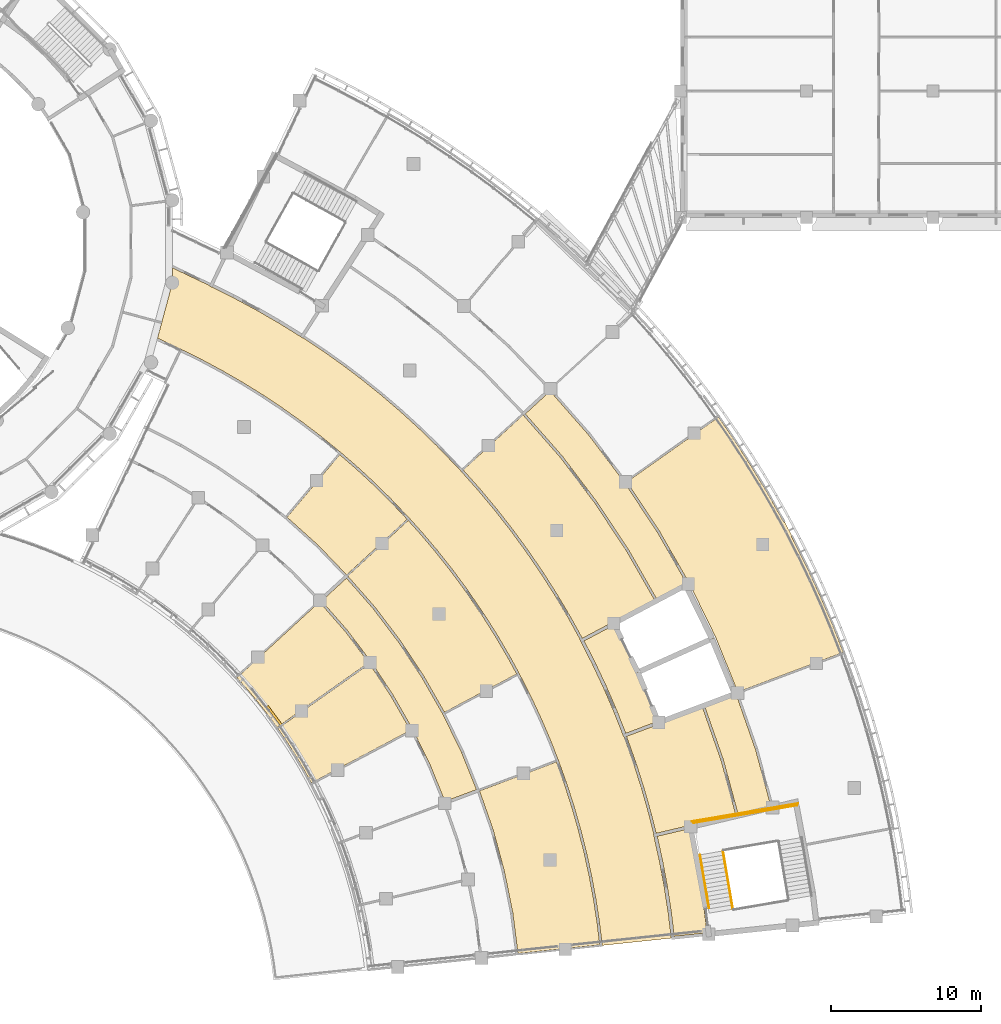
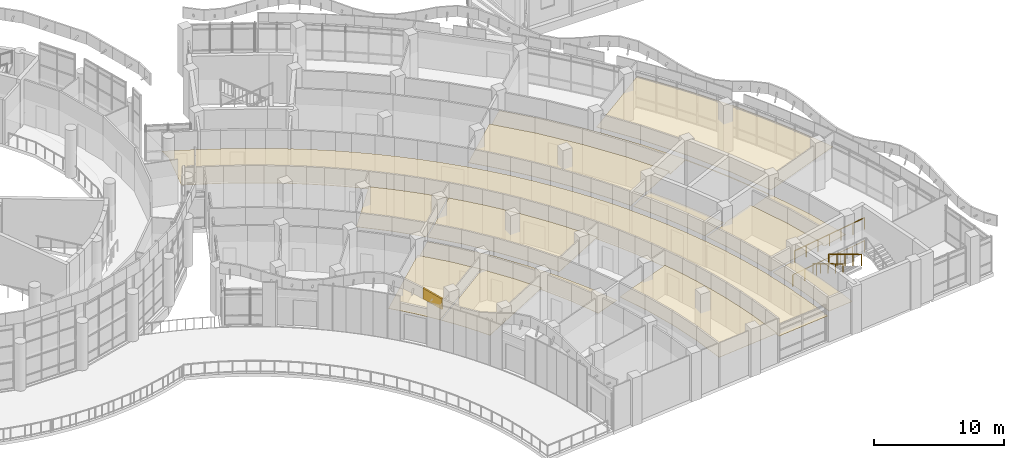
# One storey, part 125 of 136: 15 coverings, 4 railings.
"""IFC4 building model written with IfcOpenShell, lengths in metres."""

import ifcopenshell
import ifcopenshell.guid

model = None  # the IFC model being written
_history = None  # IfcOwnerHistory: only IFC2X3 demands one
_inside = {}  # id of a spatial element -> (the spatial element, [elements in it])
_under = {}  # id of a project, library or spatial element -> (it, [spatial elements below it])
_declared = {}  # id of a project -> (the project, [libraries it declares])
_typed = {}  # id of a type object -> (the type object, [elements of that type])
_made_of = {}  # id of a material, layer set ... -> (it, [elements and type objects made of it])


def new_model(schema):
    """Start an empty IFC model of exactly this schema.

    Asked for "IFC4X3", IfcOpenShell would pick the latest addendum, in which some entities
    have other attributes; the version numbers below select the first issue.
    IFC2X3 requires an IfcOwnerHistory on every rooted entity: one is made here for all.
    """
    global model, _history
    if schema == "IFC4X3":
        model = ifcopenshell.file(schema_version=(4, 3, 0, 0))
    else:
        model = ifcopenshell.file(schema=schema)
    _inside.clear()
    _under.clear()
    _declared.clear()
    _typed.clear()
    _made_of.clear()
    _history = None
    if model.schema == "IFC2X3":
        org = make("IfcOrganization", Name="unknown")
        user = make(
            "IfcPersonAndOrganization",
            ThePerson=make("IfcPerson", FamilyName="unknown"),
            TheOrganization=org,
        )
        app = make(
            "IfcApplication",
            ApplicationDeveloper=org,
            Version="unknown",
            ApplicationFullName="unknown",
            ApplicationIdentifier="unknown",
        )
        _history = make(
            "IfcOwnerHistory",
            OwningUser=user,
            OwningApplication=app,
            ChangeAction="ADDED",
            CreationDate=0,
        )
    return model


def make(cls, **values):
    """One entity of the class cls with the attributes given. An attribute that is None is left unset."""
    return model.create_entity(
        cls, **{name: value for name, value in values.items() if value is not None}
    )


def rooted(cls, **values):
    """An entity with a GlobalId (a new one), such as an element, a storey or a relation."""
    return make(cls, GlobalId=ifcopenshell.guid.new(), OwnerHistory=_history, **values)


def si_unit(unit_type, name, prefix=None):
    """IfcSIUnit, for example si_unit("LENGTHUNIT", "METRE", prefix="MILLI")."""
    return make("IfcSIUnit", UnitType=unit_type, Prefix=prefix, Name=name)


def assignment(units):
    """IfcUnitAssignment: the units of a project."""
    return None if units is None else make("IfcUnitAssignment", Units=units)


def point(xyz):
    """IfcCartesianPoint."""
    return None if xyz is None else make("IfcCartesianPoint", Coordinates=xyz)


def direction(xyz):
    """IfcDirection."""
    return None if xyz is None else make("IfcDirection", DirectionRatios=xyz)


def frame(location, z_axis=None, x_axis=None):
    """IfcAxis2Placement3D, a coordinate frame: its origin and axes. An axis left out is left unset."""
    return make(
        "IfcAxis2Placement3D",
        Location=point(location),
        Axis=direction(z_axis),
        RefDirection=direction(x_axis),
    )


def frame_2d(location, x_axis=None):
    """IfcAxis2Placement2D, a coordinate frame in the plane: its origin and x axis."""
    return make(
        "IfcAxis2Placement2D", Location=point(location), RefDirection=direction(x_axis)
    )


def origin():
    """The frame at (0, 0, 0) with its axes left unset."""
    return frame((0.0, 0.0, 0.0))


def origin_2d():
    """The frame at (0, 0) in the plane with its x axis left unset."""
    return frame_2d((0.0, 0.0))


def place(relative_to, where):
    """IfcLocalPlacement: puts the frame where relative to a parent placement (None: the world)."""
    return make(
        "IfcLocalPlacement", PlacementRelTo=relative_to, RelativePlacement=where
    )


def context(
    kind, dimensions, precision=None, world=None, true_north=None, identifier=None
):
    """IfcGeometricRepresentationContext, for example the 3D "Model" context."""
    return make(
        "IfcGeometricRepresentationContext",
        ContextIdentifier=identifier,
        ContextType=kind,
        CoordinateSpaceDimension=dimensions,
        Precision=precision,
        WorldCoordinateSystem=world,
        TrueNorth=true_north,
    )


def subcontext(parent, identifier, kind, view, scale=None):
    """IfcGeometricRepresentationSubContext, for example "Body" below "Model"."""
    return make(
        "IfcGeometricRepresentationSubContext",
        ContextIdentifier=identifier,
        ContextType=kind,
        ParentContext=parent,
        TargetScale=scale,
        TargetView=view,
    )


def project(units=None, contexts=None):
    """IfcProject with its units and contexts."""
    return rooted(
        "IfcProject",
        Name="project",
        RepresentationContexts=contexts,
        UnitsInContext=assignment(units),
    )


def spatial(cls, under=None, at=None, **own):
    """A site, building, storey or space (cls), placed at a placement, below another one or the project."""
    s = rooted(cls, ObjectPlacement=at, **own)
    if under is not None:
        _under.setdefault(under.id(), (under, []))[1].append(s)
    return s


def polyline(points):
    """IfcPolyline through the points."""
    return make("IfcPolyline", Points=[point(p) for p in points])


def profile(cls, at=None, kind="AREA", **sizes):
    """A parametric profile (cls). Its sizes go by their IFC names, for example OverallWidth=200.0."""
    return make(cls, ProfileType=kind, Position=at, **sizes)


def circle(**sizes):
    """IfcCircleProfileDef."""
    return profile("IfcCircleProfileDef", **sizes)


def outline(outer, holes=None, kind="AREA"):
    """IfcArbitraryClosedProfileDef: a profile drawn as a closed curve; with holes, ...WithVoids."""
    if holes is None:
        return make("IfcArbitraryClosedProfileDef", ProfileType=kind, OuterCurve=outer)
    return make(
        "IfcArbitraryProfileDefWithVoids",
        ProfileType=kind,
        OuterCurve=outer,
        InnerCurves=holes,
    )


def extrude(swept, where, along, depth):
    """IfcExtrudedAreaSolid: the profile swept, set in the frame where, extruded along a direction by depth."""
    return make(
        "IfcExtrudedAreaSolid",
        SweptArea=swept,
        Position=where,
        ExtrudedDirection=direction(along),
        Depth=depth,
    )


def shape(context_of_items, identifier, shape_type, items):
    """IfcShapeRepresentation: the items that make up one representation, for example the "Body"."""
    return make(
        "IfcShapeRepresentation",
        ContextOfItems=context_of_items,
        RepresentationIdentifier=identifier,
        RepresentationType=shape_type,
        Items=items,
    )


def material(Name=None, Category=None):
    """IfcMaterial."""
    return make("IfcMaterial", Name=Name, Category=Category)


def layer(
    of_material, thickness, ventilated=None, Name=None, Category=None, Priority=None
):
    """IfcMaterialLayer: one layer of a wall or slab, of a material (None: an air gap)."""
    return make(
        "IfcMaterialLayer",
        Material=of_material,
        LayerThickness=thickness,
        IsVentilated=ventilated,
        Name=Name,
        Category=Category,
        Priority=Priority,
    )


def layer_set(layers, Name=None):
    """IfcMaterialLayerSet."""
    return make("IfcMaterialLayerSet", MaterialLayers=layers, LayerSetName=Name)


def made_of(thing, what):
    """Note that an element or type object is made of a material, layer set ...; save() writes the relation."""
    if what is not None:
        _made_of.setdefault(what.id(), (what, []))[1].append(thing)
    return thing


def type_object(cls, material=None, **own):
    """A type object (cls), such as IfcWallType, which elements share."""
    return made_of(rooted(cls, **own), material)


def element(
    cls,
    number,
    at=None,
    inside=None,
    cuts=None,
    type_object=None,
    material=None,
    context=None,
    identifier="Body",
    shape_type=None,
    held_by="IfcProductDefinitionShape",
    body=None,
    shapes=None,
    **own,
):
    """One element of the class cls, such as IfcWall. Its Tag is "e" and its number.

    at: its placement. inside: the storey or other place that contains it. cuts: it is an
    opening in that element (IfcRelVoidsElement). A single representation is given by context,
    identifier, shape_type and body (its items); several are given by shapes. held_by: the class
    of the entity that holds the representations. save() writes the other relations.
    """
    e = rooted(cls, Tag="e%d" % number, ObjectPlacement=at, **own)
    if body is not None:
        shapes = [shape(context, identifier, shape_type, body)]
    if shapes is not None:
        e.Representation = make(held_by, Representations=shapes)
    if inside is not None:
        _inside.setdefault(inside.id(), (inside, []))[1].append(e)
    if cuts is not None:
        rooted(
            "IfcRelVoidsElement", RelatingBuildingElement=cuts, RelatedOpeningElement=e
        )
    if type_object is not None:
        _typed.setdefault(type_object.id(), (type_object, []))[1].append(e)
    return made_of(e, material)


def aggregate(whole, parts):
    """IfcRelAggregates: a whole, such as a stair, and the parts it consists of."""
    return rooted("IfcRelAggregates", RelatingObject=whole, RelatedObjects=parts)


def save(model, path):
    """Write the relations noted so far, then the file.

    IfcRelAggregates (storeys below a building ...), IfcRelContainedInSpatialStructure (elements
    in a storey), IfcRelDefinesByType, IfcRelAssociatesMaterial and IfcRelDeclares: one each for
    every whole, place, type object, material and project.
    """
    for whole, parts in _under.values():
        aggregate(whole, parts)
    for where, things in _inside.values():
        rooted(
            "IfcRelContainedInSpatialStructure",
            RelatedElements=things,
            RelatingStructure=where,
        )
    for kind, things in _typed.values():
        rooted("IfcRelDefinesByType", RelatedObjects=things, RelatingType=kind)
    for what, things in _made_of.values():
        rooted("IfcRelAssociatesMaterial", RelatedObjects=things, RelatingMaterial=what)
    for by, libraries in _declared.values():
        rooted("IfcRelDeclares", RelatingContext=by, RelatedDefinitions=libraries)
    model.write(path)


model = new_model("IFC4")

# Units and contexts
model_context = context("Model", 3, precision=1e-05, world=origin(), true_north=direction((0.0, 1.0)))
body_context = subcontext(model_context, "Body", "Model", "MODEL_VIEW")
ifc_project = project(units=[si_unit("LENGTHUNIT", "METRE"), si_unit("AREAUNIT", "SQUARE_METRE"), si_unit("VOLUMEUNIT", "CUBIC_METRE"), si_unit("PLANEANGLEUNIT", "RADIAN"), si_unit("MASSUNIT", "GRAM", prefix="KILO")], contexts=[model_context])

# Site, building, storey
site_placement = place(None, origin())
site = spatial("IfcSite", under=ifc_project, at=site_placement, CompositionType="ELEMENT")
building_placement = place(site_placement, origin())
building = spatial("IfcBuilding", under=site, at=building_placement, Name="Bougainvillea Quay General Hospital", CompositionType="ELEMENT")
storey_placement = place(building_placement, frame((0.0, 0.0, 5.39990234375)))
storey = spatial("IfcBuildingStorey", under=building, at=storey_placement, Name="L01", CompositionType="ELEMENT", Elevation=5.39990234375)

# Covering
ifc_material_1 = material(Name="Powder-coated aluminium fascia, yellow", Category="aluminium")
ifc_layer_1 = layer(ifc_material_1, 0.14990234375)
ifc_layer_set_1 = layer_set([ifc_layer_1], Name="Powder-coated aluminium fascia, yellow")
covering_type_1 = type_object("IfcCoveringType", Name="Aluminium wave fascia ribbon yellow 150x1000", PredefinedType="CLADDING", material=ifc_layer_set_1)
covering_1_placement = place(storey_placement, frame((136.26220703125, 43.074462890625, 4.107666015625), z_axis=(0.20230759137, -0.272411449771, 0.940671909067), x_axis=(0.560517484341, -0.75543617176, -0.339317462188)))
element("IfcCovering", 1, at=covering_1_placement, inside=storey, type_object=covering_type_1, Name="Fascia ribbon yellow a21 11", PredefinedType="CLADDING", context=body_context, shape_type="SweptSolid", body=[
    extrude(outline(polyline([(0.0, 0.0), (1.6921750227203625, -2.8297676701871666e-17), (1.6958118692719748, 0.15006847237188053), (-0.003759882893246426, 0.15008132697001633), (0.0, 0.0)])), origin(), (-0.339317462188, -0.000139091811, 0.940671909067), 1.0),
])

# Railings
ifc_material_2 = material(Name="Stainless steel 304 balustrade", Category="steel")
railing_type_1 = type_object("IfcRailingType", Name="Stair guard 1100", PredefinedType="GUARDRAIL", material=ifc_material_2)
railing_1_placement = place(storey_placement, frame((171.55322265625, 36.51416015625, 2.25)))
element("IfcRailing", 2, at=railing_1_placement, inside=storey, type_object=railing_type_1, Name="L01 ST-E2 stair guard 3", PredefinedType="GUARDRAIL", context=body_context, shape_type="SweptSolid", body=[
    extrude(circle(Radius=0.02392578125, at=origin_2d()), frame((0.0, 0.0, 1.076171875), z_axis=(-0.985829689337, -0.167749287992, 0.0), x_axis=(0.167749287992, -0.985829689337, 0.0)), (0.0, 0.0, 1.0), 6.958251953125),
    extrude(circle(Radius=0.02099609375, at=origin_2d()), origin(), (0.0, 0.0, 1.0), 1.052001953125),
    extrude(circle(Radius=0.02099609375, at=origin_2d()), frame((-1.143310546875, -0.194580078125, 0.0)), (0.0, 0.0, 1.0), 1.052001953125),
    extrude(circle(Radius=0.02099609375, at=origin_2d()), frame((-2.28662109375, -0.38916015625, 0.0)), (0.0, 0.0, 1.0), 1.052001953125),
    extrude(circle(Radius=0.02099609375, at=origin_2d()), frame((-3.4296875, -0.58349609375, 0.0)), (0.0, 0.0, 1.0), 1.052001953125),
    extrude(circle(Radius=0.02099609375, at=origin_2d()), frame((-4.572998046875, -0.778076171875, 0.0)), (0.0, 0.0, 1.0), 1.052001953125),
    extrude(circle(Radius=0.02099609375, at=origin_2d()), frame((-5.71630859375, -0.97265625, 0.0)), (0.0, 0.0, 1.0), 1.052001953125),
    extrude(circle(Radius=0.02099609375, at=origin_2d()), frame((-6.859619140625, -1.167236328125, 0.0)), (0.0, 0.0, 1.0), 1.052001953125),
])
railing_2_placement = place(storey_placement, frame((166.63525390625, 33.47509765625, 2.400146484375)))
element("IfcRailing", 3, at=railing_2_placement, inside=storey, type_object=railing_type_1, Name="L01 ST-E2 stair guard 4", PredefinedType="GUARDRAIL", context=body_context, shape_type="SweptSolid", body=[
    extrude(circle(Radius=0.02392578125, at=origin_2d()), frame((0.0, 0.0, 1.076171875), z_axis=(0.147845078716, -0.869008448199, 0.472192915722), x_axis=(0.985834537871, 0.167720791616, 0.0)), (0.0, 0.0, 1.0), 4.447021484375),
    extrude(circle(Radius=0.02099609375, at=origin_2d()), origin(), (0.0, 0.0, 1.0), 1.052001953125),
    extrude(circle(Radius=0.02099609375, at=origin_2d()), frame((0.164306640625, -0.966064453125, 0.52490234375)), (0.0, 0.0, 1.0), 1.052001953125),
    extrude(circle(Radius=0.02099609375, at=origin_2d()), frame((0.32861328125, -1.93212890625, 1.0498046875)), (0.0, 0.0, 1.0), 1.052001953125),
    extrude(circle(Radius=0.02099609375, at=origin_2d()), frame((0.4931640625, -2.8984375, 1.574951171875)), (0.0, 0.0, 1.0), 1.052001953125),
    extrude(circle(Radius=0.02099609375, at=origin_2d()), frame((0.657470703125, -3.864501953125, 2.099853515625)), (0.0, 0.0, 1.0), 1.052001953125),
])
railing_3_placement = place(storey_placement, frame((171.635009765625, 36.62939453125, 0.0)))
element("IfcRailing", 4, at=railing_3_placement, inside=storey, type_object=railing_type_1, Name="L01 ST-E2 stair guard 6", PredefinedType="GUARDRAIL", context=body_context, shape_type="SweptSolid", body=[
    extrude(circle(Radius=0.02392578125, at=origin_2d()), frame((0.0, 0.0, 1.076171875), z_axis=(-0.98583149158, -0.167738696222, 0.0), x_axis=(0.167738696222, -0.98583149158, 0.0)), (0.0, 0.0, 1.0), 7.157958984375),
    extrude(circle(Radius=0.02099609375, at=origin_2d()), origin(), (0.0, 0.0, 1.0), 1.052001953125),
    extrude(circle(Radius=0.02099609375, at=origin_2d()), frame((-1.176025390625, -0.2001953125, 0.0)), (0.0, 0.0, 1.0), 1.052001953125),
    extrude(circle(Radius=0.02099609375, at=origin_2d()), frame((-2.352294921875, -0.400146484375, 0.0)), (0.0, 0.0, 1.0), 1.052001953125),
    extrude(circle(Radius=0.02099609375, at=origin_2d()), frame((-3.5283203125, -0.600341796875, 0.0)), (0.0, 0.0, 1.0), 1.052001953125),
    extrude(circle(Radius=0.02099609375, at=origin_2d()), frame((-4.704345703125, -0.800537109375, 0.0)), (0.0, 0.0, 1.0), 1.052001953125),
    extrude(circle(Radius=0.02099609375, at=origin_2d()), frame((-5.880615234375, -1.00048828125, 0.0)), (0.0, 0.0, 1.0), 1.052001953125),
    extrude(circle(Radius=0.02099609375, at=origin_2d()), frame((-7.056640625, -1.20068359375, 0.0)), (0.0, 0.0, 1.0), 1.052001953125),
])
ifc_material_3 = material(Name="Stainless steel 304 handrail", Category="steel")
railing_type_2 = type_object("IfcRailingType", Name="Stair handrail 900", PredefinedType="HANDRAIL", material=ifc_material_3)
railing_4_placement = place(storey_placement, frame((165.107177734375, 33.215087890625, 2.400146484375)))
element("IfcRailing", 5, at=railing_4_placement, inside=storey, type_object=railing_type_2, Name="L01 ST-E2 stair handrail 2", PredefinedType="HANDRAIL", context=body_context, shape_type="SweptSolid", body=[
    extrude(circle(Radius=0.02392578125, at=origin_2d()), frame((0.0, 0.0, 0.8759765625), z_axis=(0.147864790063, -0.868999263146, 0.472203647287), x_axis=(0.985830547131, 0.167744246826, 0.0)), (0.0, 0.0, 1.0), 4.053466796875),
    extrude(circle(Radius=0.02099609375, at=origin_2d()), origin(), (0.0, 0.0, 1.0), 0.851806640625),
    extrude(circle(Radius=0.02099609375, at=origin_2d()), frame((0.14990234375, -0.880615234375, 0.478515625)), (0.0, 0.0, 1.0), 0.851806640625),
    extrude(circle(Radius=0.02099609375, at=origin_2d()), frame((0.2998046875, -1.76123046875, 0.95703125)), (0.0, 0.0, 1.0), 0.851806640625),
    extrude(circle(Radius=0.02099609375, at=origin_2d()), frame((0.449462890625, -2.641845703125, 1.435546875)), (0.0, 0.0, 1.0), 0.851806640625),
    extrude(circle(Radius=0.02099609375, at=origin_2d()), frame((0.599365234375, -3.5224609375, 1.9140625)), (0.0, 0.0, 1.0), 0.851806640625),
])

# Coverings
ifc_material_4 = material(Name="Mineral fibre ceiling tile")
ifc_layer_2 = layer(ifc_material_4, 0.030029296875)
ifc_layer_set_2 = layer_set([ifc_layer_2], Name="Mineral fibre ceiling tile")
covering_type_2 = type_object("IfcCoveringType", Name="Suspended ceiling mineral fibre tile", PredefinedType="CEILING", material=ifc_layer_set_2)
covering_2_placement = place(storey_placement, frame((0.0, 0.0, 2.400146484375)))
element("IfcCovering", 6, at=covering_2_placement, inside=storey, type_object=covering_type_2, Name="Ceiling Outpatient Spine Corridor", PredefinedType="CEILING", context=body_context, shape_type="SweptSolid", body=[
    extrude(outline(polyline([(163.20263671875, 27.67626953125), (162.993896484375, 29.3994140625), (162.73046875, 31.111083984375), (162.412109375, 32.81396484375), (162.03955078125, 34.5068359375), (162.0166015625, 34.603271484375), (162.01806640625, 34.603515625), (162.017822265625, 34.605224609375), (162.039306640625, 34.60986328125), (161.70751953125, 35.935791015625), (161.251220703125, 37.553466796875), (160.744873046875, 39.1552734375), (160.07568359375, 41.043212890625), (160.0556640625, 41.03515625), (160.05517578125, 41.03662109375), (160.0537109375, 41.0361328125), (160.018798828125, 41.12890625), (159.382568359375, 42.74072265625), (158.69580078125, 44.331787109375), (157.958251953125, 45.89892578125), (157.170166015625, 47.44287109375), (157.123779296875, 47.530517578125), (157.125244140625, 47.53125), (157.12451171875, 47.53271484375), (157.143798828125, 47.54248046875), (156.35693359375, 48.9716796875), (155.47216796875, 50.462646484375), (154.540283203125, 51.923583984375), (153.562744140625, 53.354736328125), (152.5400390625, 54.753662109375), (151.4736328125, 56.119873046875), (150.36328125, 57.451171875), (149.2119140625, 58.74609375), (147.61376953125, 60.4140625), (146.40673828125, 61.583251953125), (145.164306640625, 62.7158203125), (143.88818359375, 63.808349609375), (142.577880859375, 64.86181640625), (141.489501953125, 65.6875), (140.079345703125, 66.6953125), (138.72265625, 67.601806640625), (138.711181640625, 67.583251953125), (138.709716796875, 67.583984375), (138.708984375, 67.582763671875), (138.62548828125, 67.636474609375), (137.153564453125, 68.55224609375), (135.654296875, 69.419677734375), (134.128173828125, 70.240234375), (132.576171875, 71.010986328125), (132.486572265625, 71.0537109375), (132.4873046875, 71.05517578125), (132.48583984375, 71.055908203125), (132.496337890625, 71.076904296875), (130.02001953125, 72.2578125), (130.02001953125, 71.259033203125), (129.012939453125, 67.5029296875), (129.04541015625, 67.57080078125), (130.5185546875, 66.867431640625), (130.519287109375, 66.868408203125), (130.653076171875, 66.803466796875), (130.652587890625, 66.80224609375), (131.917236328125, 66.174560546875), (131.91845703125, 66.176513671875), (131.9833984375, 66.1416015625), (132.049560546875, 66.10888671875), (132.048583984375, 66.106689453125), (133.29443359375, 65.4384765625), (133.295654296875, 65.4404296875), (133.359375, 65.403564453125), (133.424560546875, 65.36865234375), (133.42333984375, 65.36669921875), (134.647705078125, 64.659423828125), (134.64892578125, 64.661376953125), (134.71142578125, 64.622314453125), (134.775390625, 64.58544921875), (134.7744140625, 64.58349609375), (135.975830078125, 63.838134765625), (135.97705078125, 63.840087890625), (136.03857421875, 63.799072265625), (136.101318359375, 63.76025390625), (136.10009765625, 63.75830078125), (137.277099609375, 62.9755859375), (137.2783203125, 62.9775390625), (137.338623046875, 62.934814453125), (137.39990234375, 62.89404296875), (137.398681640625, 62.89208984375), (138.55029296875, 62.0732421875), (138.551513671875, 62.0751953125), (138.6103515625, 62.030517578125), (138.670654296875, 61.987548828125), (138.669189453125, 61.98583984375), (139.795654296875, 61.130615234375), (139.79736328125, 61.132568359375), (139.8544921875, 61.0859375), (139.9130859375, 61.041259765625), (139.91162109375, 61.039306640625), (141.15185546875, 60.027099609375), (141.1533203125, 60.02880859375), (141.209228515625, 59.98046875), (141.2666015625, 59.93359375), (141.26513671875, 59.93212890625), (142.19287109375, 59.130615234375), (142.194091796875, 59.1318359375), (142.3046875, 59.03369140625), (142.303466796875, 59.0322265625), (142.846923828125, 58.536865234375), (143.343505859375, 58.07470703125), (143.344970703125, 58.076171875), (143.451904296875, 57.973876953125), (143.45068359375, 57.972412109375), (144.460693359375, 56.983154296875), (144.462646484375, 56.985107421875), (144.513427734375, 56.931640625), (144.566162109375, 56.880126953125), (144.564208984375, 56.878173828125), (145.731201171875, 55.650634765625), (145.732666015625, 55.65185546875), (145.781982421875, 55.596923828125), (145.8330078125, 55.543212890625), (145.83154296875, 55.541748046875), (146.589111328125, 54.6982421875), (146.5908203125, 54.69970703125), (146.638671875, 54.643310546875), (146.68798828125, 54.58837890625), (146.686279296875, 54.5869140625), (147.598388671875, 53.5068359375), (147.600341796875, 53.50830078125), (147.64599609375, 53.450439453125), (147.693603515625, 53.39404296875), (147.69189453125, 53.392578125), (148.569580078125, 52.283447265625), (148.571533203125, 52.284912109375), (148.615478515625, 52.2255859375), (148.661376953125, 52.167724609375), (148.65966796875, 52.166259765625), (149.502197265625, 51.030517578125), (149.504638671875, 51.0322265625), (149.546142578125, 50.971435546875), (149.58984375, 50.912353515625), (149.587646484375, 50.91064453125), (150.80615234375, 49.1279296875), (150.80859375, 49.12939453125), (150.84765625, 49.067138671875), (150.88916015625, 49.00634765625), (150.886962890625, 49.0048828125), (151.639892578125, 47.806396484375), (151.641845703125, 47.8076171875), (151.67919921875, 47.743896484375), (151.718505859375, 47.681396484375), (151.71630859375, 47.68017578125), (152.429931640625, 46.459716796875), (152.431884765625, 46.460693359375), (152.46728515625, 46.39599609375), (152.504638671875, 46.33203125), (152.502685546875, 46.3310546875), (153.044921875, 45.3369140625), (153.046875, 45.337890625), (153.080322265625, 45.27197265625), (153.11572265625, 45.20703125), (153.11376953125, 45.2060546875), (153.882080078125, 43.694580078125), (153.884521484375, 43.695556640625), (153.91552734375, 43.62890625), (153.94873046875, 43.563232421875), (153.946533203125, 43.56201171875), (154.54248046875, 42.279541015625), (154.54443359375, 42.280517578125), (154.573486328125, 42.212646484375), (154.604736328125, 42.1455078125), (154.6025390625, 42.14453125), (155.157470703125, 40.84423828125), (155.159423828125, 40.84521484375), (155.1865234375, 40.7763671875), (155.21533203125, 40.70849609375), (155.21337890625, 40.70751953125), (155.659423828125, 39.567138671875), (155.661376953125, 39.56787109375), (155.686279296875, 39.498291015625), (155.713134765625, 39.429443359375), (155.711181640625, 39.4287109375), (156.251220703125, 37.91943359375), (156.253662109375, 37.920166015625), (156.276123046875, 37.85009765625), (156.30078125, 37.78076171875), (156.298583984375, 37.77978515625), (156.728271484375, 36.43310546875), (156.73046875, 36.43359375), (156.750732421875, 36.36279296875), (156.773193359375, 36.292236328125), (156.77099609375, 36.291748046875), (157.1591796875, 34.932373046875), (157.161376953125, 34.93310546875), (157.179443359375, 34.861328125), (157.19970703125, 34.79052734375), (157.197509765625, 34.789794921875), (157.5419921875, 33.418701171875), (157.544189453125, 33.419189453125), (157.56005859375, 33.34716796875), (157.578125, 33.275634765625), (157.57568359375, 33.27490234375), (157.877685546875, 31.89404296875), (157.880126953125, 31.89453125), (157.8935546875, 31.82177734375), (157.9091796875, 31.749755859375), (157.906982421875, 31.749267578125), (158.16455078125, 30.360107421875), (158.166748046875, 30.360595703125), (158.177978515625, 30.28759765625), (158.19140625, 30.21484375), (158.189208984375, 30.214599609375), (158.403076171875, 28.817138671875), (158.405517578125, 28.817626953125), (158.414306640625, 28.744140625), (158.425537109375, 28.671142578125), (158.42333984375, 28.6708984375), (158.603271484375, 27.192138671875), (163.20263671875, 27.67626953125)])), origin(), (0.0, 0.0, 1.0), 0.030029296875),
])
covering_3_placement = place(storey_placement, frame((0.0, 0.0, 2.7001953125)))
element("IfcCovering", 7, at=covering_3_placement, inside=storey, type_object=covering_type_2, Name="Ceiling Lift Lobby LB-E1", PredefinedType="CEILING", context=body_context, shape_type="SweptSolid", body=[
    extrude(outline(polyline([(159.424560546875, 48.52392578125), (157.392822265625, 47.44677734375), (158.093017578125, 46.07470703125), (158.095947265625, 46.076171875), (158.1376953125, 45.987060546875), (158.1826171875, 45.8994140625), (158.1796875, 45.89794921875), (158.836181640625, 44.503173828125), (158.839111328125, 44.50439453125), (158.878173828125, 44.4140625), (158.920166015625, 44.3251953125), (158.917236328125, 44.32373046875), (159.5283203125, 42.907470703125), (159.53125, 42.90869140625), (159.5673828125, 42.817138671875), (159.6064453125, 42.726806640625), (159.603515625, 42.7255859375), (160.1689453125, 41.293212890625), (162.3212890625, 42.10400390625), (161.693115234375, 43.696044921875), (160.97412109375, 45.360107421875), (160.202880859375, 46.9990234375), (159.424560546875, 48.52392578125)])), origin(), (0.0, 0.0, 1.0), 0.02978515625),
])
covering_4_placement = place(storey_placement, frame((0.0, 0.0, 2.7001953125)))
element("IfcCovering", 8, at=covering_4_placement, inside=storey, type_object=covering_type_2, Name="Ceiling Smoke-proof Vestibule ST-E2", PredefinedType="CEILING", context=body_context, shape_type="SweptSolid", body=[
    extrude(outline(polyline([(162.255859375, 34.454345703125), (162.5869140625, 32.9501953125), (162.58984375, 32.95068359375), (162.60791015625, 32.85400390625), (162.629150390625, 32.7578125), (162.626220703125, 32.757080078125), (162.909423828125, 31.241455078125), (162.91259765625, 31.241943359375), (162.927490234375, 31.144775390625), (162.945556640625, 31.048095703125), (162.942626953125, 31.047607421875), (163.177001953125, 29.52392578125), (163.18017578125, 29.5244140625), (163.192138671875, 29.426513671875), (163.20703125, 29.329345703125), (163.203857421875, 29.328857421875), (163.389404296875, 27.7998046875), (165.576416015625, 28.02978515625), (165.370849609375, 29.726318359375), (165.096435546875, 31.51416015625), (164.763916015625, 33.2919921875), (164.397216796875, 34.961181640625), (162.255859375, 34.454345703125)])), origin(), (0.0, 0.0, 1.0), 0.02978515625),
])
covering_5_placement = place(storey_placement, frame((0.0, 0.0, 2.400146484375)))
element("IfcCovering", 9, at=covering_5_placement, inside=storey, type_object=covering_type_2, Name="Ceiling Clinic Corridor 01E1", PredefinedType="CEILING", context=body_context, shape_type="SweptSolid", body=[
    extrude(outline(polyline([(165.89599609375, 47.580078125), (166.68408203125, 45.759033203125), (167.412109375, 43.9130859375), (167.376953125, 44.006591796875), (167.459228515625, 44.03759765625), (166.010498046875, 47.63232421875), (164.2607421875, 51.201904296875), (162.2861328125, 54.653564453125), (160.095703125, 57.97265625), (157.69873046875, 61.14453125), (155.143798828125, 64.05908203125), (153.48828125, 62.53759765625), (155.8994140625, 59.785888671875), (155.903564453125, 59.7890625), (155.947265625, 59.7314453125), (155.994873046875, 59.677001953125), (155.990966796875, 59.673583984375), (158.21435546875, 56.7314453125), (158.21826171875, 56.73388671875), (158.25830078125, 56.67333984375), (158.302001953125, 56.615478515625), (158.29833984375, 56.612548828125), (160.329833984375, 53.5361328125), (160.333984375, 53.538330078125), (160.369873046875, 53.475341796875), (160.409912109375, 53.414794921875), (160.406005859375, 53.412109375), (162.27099609375, 50.150146484375), (162.2060546875, 50.113037109375), (164.14990234375, 51.14404296875), (165.052001953125, 49.3759765625), (165.89599609375, 47.580078125)])), origin(), (0.0, 0.0, 1.0), 0.030029296875),
])
covering_6_placement = place(storey_placement, frame((0.0, 0.0, 2.7001953125)))
element("IfcCovering", 10, at=covering_6_placement, inside=storey, type_object=covering_type_2, Name="Ceiling General Medicine Waiting Hall 01E101", PredefinedType="CEILING", context=body_context, shape_type="SweptSolid", body=[
    extrude(outline(polyline([(162.1396484375, 50.077880859375), (160.2421875, 53.396728515625), (158.1357421875, 56.586669921875), (155.830810546875, 59.63671875), (153.3447265625, 62.4736328125), (149.35693359375, 58.8115234375), (149.373046875, 58.794677734375), (149.37109375, 58.792724609375), (150.427734375, 57.604248046875), (150.429443359375, 57.605712890625), (150.476806640625, 57.548828125), (150.52587890625, 57.493896484375), (150.524169921875, 57.4921875), (151.54296875, 56.270751953125), (151.544921875, 56.272216796875), (151.59033203125, 56.214111328125), (151.6376953125, 56.157470703125), (151.6357421875, 56.156005859375), (152.614501953125, 54.90234375), (152.6162109375, 54.90380859375), (152.659912109375, 54.84423828125), (152.705322265625, 54.7861328125), (152.703369140625, 54.78466796875), (153.6416015625, 53.5009765625), (153.6435546875, 53.502197265625), (153.685302734375, 53.44140625), (153.728759765625, 53.381591796875), (153.726806640625, 53.38037109375), (154.6240234375, 52.0673828125), (154.6259765625, 52.068603515625), (154.66552734375, 52.00634765625), (154.707275390625, 51.9453125), (154.705322265625, 51.944091796875), (155.560302734375, 50.603515625), (155.562255859375, 50.604736328125), (155.599853515625, 50.541259765625), (155.6396484375, 50.47900390625), (155.637451171875, 50.477783203125), (156.449462890625, 49.109619140625), (156.451416015625, 49.11083984375), (156.487060546875, 49.046142578125), (156.524658203125, 48.982666015625), (156.522705078125, 48.9814453125), (157.277099609375, 47.61181640625), (159.332275390625, 48.701416015625), (159.37890625, 48.61328125), (162.1396484375, 50.077880859375)])), origin(), (0.0, 0.0, 1.0), 0.02978515625),
])
covering_7_placement = place(storey_placement, frame((0.0, 0.0, 2.7001953125)))
element("IfcCovering", 11, at=covering_7_placement, inside=storey, type_object=covering_type_2, Name="Ceiling General Medicine Examination Room 01E112", PredefinedType="CEILING", context=body_context, shape_type="SweptSolid", body=[
    extrude(outline(polyline([(170.72802734375, 55.365966796875), (170.684326171875, 55.341552734375), (169.604736328125, 57.2607421875), (168.465576171875, 59.1435546875), (167.2685546875, 60.9892578125), (166.343505859375, 62.326904296875), (160.24853515625, 58.019287109375), (160.261962890625, 58.00146484375), (160.25830078125, 57.99853515625), (162.373779296875, 54.79296875), (162.3779296875, 54.79541015625), (162.413818359375, 54.732421875), (162.453857421875, 54.671630859375), (162.449951171875, 54.669189453125), (164.357177734375, 51.335205078125), (164.361328125, 51.33740234375), (164.393310546875, 51.272216796875), (164.429443359375, 51.209228515625), (164.42529296875, 51.206787109375), (166.11572265625, 47.758544921875), (166.12060546875, 47.760498046875), (166.1474609375, 47.693603515625), (166.179443359375, 47.628662109375), (166.174560546875, 47.62646484375), (167.599853515625, 44.090087890625), (167.604736328125, 44.090087890625), (167.62060546875, 44.044677734375), (174.640869140625, 46.68798828125), (173.955810546875, 48.440185546875), (173.09228515625, 50.462646484375), (172.166015625, 52.456298828125), (171.17626953125, 54.421630859375), (171.220947265625, 54.444091796875), (170.72802734375, 55.365966796875)])), origin(), (0.0, 0.0, 1.0), 0.02978515625),
])
covering_8_placement = place(storey_placement, frame((0.0, 0.0, 2.400146484375)))
element("IfcCovering", 12, at=covering_8_placement, inside=storey, type_object=covering_type_2, Name="Ceiling Clinic Corridor 01E1", PredefinedType="CEILING", context=body_context, shape_type="SweptSolid", body=[
    extrude(outline(polyline([(165.322021484375, 43.1259765625), (165.392822265625, 43.15087890625), (166.634765625, 39.604736328125), (166.639892578125, 39.60595703125), (166.65869140625, 39.5361328125), (166.6826171875, 39.468017578125), (166.677734375, 39.46630859375), (167.64697265625, 35.884521484375), (169.8359375, 36.403076171875), (168.810302734375, 40.19287109375), (167.52978515625, 43.850341796875), (167.447021484375, 43.8193359375), (167.412109375, 43.91259765625), (165.322021484375, 43.1259765625)])), origin(), (0.0, 0.0, 1.0), 0.030029296875),
])
covering_9_placement = place(storey_placement, frame((0.0, 0.0, 2.7001953125)))
element("IfcCovering", 13, at=covering_9_placement, inside=storey, type_object=covering_type_2, Name="Ceiling Geriatric Assessment Waiting Hall 01E101", PredefinedType="CEILING", context=body_context, shape_type="SweptSolid", body=[
    extrude(outline(polyline([(162.358154296875, 42.010498046875), (162.393310546875, 41.91748046875), (160.215576171875, 41.09716796875), (160.862548828125, 39.2724609375), (160.864990234375, 39.273193359375), (160.88720703125, 39.202880859375), (160.911865234375, 39.13330078125), (160.909423828125, 39.132568359375), (161.37255859375, 37.6669921875), (161.374755859375, 37.66748046875), (161.394775390625, 37.596435546875), (161.417236328125, 37.526123046875), (161.4150390625, 37.525390625), (161.83251953125, 36.04541015625), (161.83447265625, 36.0458984375), (161.8525390625, 35.974365234375), (161.87255859375, 35.903076171875), (161.870361328125, 35.902587890625), (162.185791015625, 34.643310546875), (164.354248046875, 35.15673828125), (164.353759765625, 35.158203125), (164.54736328125, 35.202392578125), (164.547607421875, 35.20068359375), (164.54931640625, 35.201171875), (164.5595703125, 35.15380859375), (167.5009765625, 35.85009765625), (166.515380859375, 39.49169921875), (165.251708984375, 43.099609375), (162.358154296875, 42.010498046875)])), origin(), (0.0, 0.0, 1.0), 0.02978515625),
])
covering_10_placement = place(storey_placement, frame((0.0, 0.0, 2.7001953125)))
element("IfcCovering", 14, at=covering_10_placement, inside=storey, type_object=covering_type_2, Name="Ceiling Pre-admission Assessment Consulting Room 01E102", PredefinedType="CEILING", context=body_context, shape_type="SweptSolid", body=[
    extrude(outline(polyline([(139.745361328125, 53.769775390625), (141.574951171875, 51.868896484375), (141.57958984375, 51.87060546875), (141.611328125, 51.83447265625), (145.63720703125, 55.531494140625), (144.406494140625, 56.826416015625), (143.294189453125, 57.915771484375), (142.690185546875, 58.476806640625), (142.149169921875, 58.969970703125), (141.150390625, 59.8330078125), (137.6435546875, 55.67138671875), (137.661376953125, 55.657470703125), (137.658447265625, 55.65380859375), (139.641357421875, 53.870361328125), (139.64501953125, 53.8740234375), (139.695068359375, 53.822021484375), (139.7490234375, 53.773681640625), (139.745361328125, 53.769775390625)])), origin(), (0.0, 0.0, 1.0), 0.02978515625),
])
covering_11_placement = place(storey_placement, frame((0.0, 0.0, 2.400146484375)))
element("IfcCovering", 15, at=covering_11_placement, inside=storey, type_object=covering_type_2, Name="Ceiling Clinic Corridor 01E1", PredefinedType="CEILING", context=body_context, shape_type="SweptSolid", body=[
    extrude(outline(polyline([(143.380859375, 49.587646484375), (141.599609375, 51.6201171875), (139.943115234375, 50.0986328125), (141.58154296875, 48.22998046875), (141.585693359375, 48.233154296875), (141.629150390625, 48.17529296875), (141.6767578125, 48.12109375), (141.6728515625, 48.11767578125), (143.1884765625, 46.111328125), (143.1923828125, 46.114013671875), (143.232177734375, 46.05322265625), (143.276123046875, 45.995361328125), (143.2724609375, 45.99267578125), (144.65673828125, 43.89501953125), (144.660888671875, 43.8974609375), (144.697021484375, 43.834228515625), (144.73681640625, 43.773681640625), (144.733154296875, 43.771240234375), (145.981201171875, 41.59033203125), (145.9853515625, 41.59228515625), (146.017333984375, 41.527099609375), (146.053466796875, 41.464111328125), (146.04931640625, 41.4619140625), (147.15576171875, 39.20361328125), (147.160400390625, 39.20556640625), (147.1875, 39.138671875), (147.21923828125, 39.07373046875), (147.214599609375, 39.0712890625), (148.143798828125, 36.76611328125), (150.248291015625, 37.558349609375), (149.238525390625, 40.064453125), (148.004638671875, 42.580810546875), (146.614013671875, 45.013671875), (145.06982421875, 47.352783203125), (143.380859375, 49.587646484375)])), origin(), (0.0, 0.0, 1.0), 0.030029296875),
])
covering_12_placement = place(storey_placement, frame((0.0, 0.0, 2.7001953125)))
element("IfcCovering", 16, at=covering_12_placement, inside=storey, type_object=covering_type_2, Name="Ceiling Sleep Studies Waiting Hall 01E101", PredefinedType="CEILING", context=body_context, shape_type="SweptSolid", body=[
    extrude(outline(polyline([(141.678955078125, 51.7607421875), (141.71240234375, 51.72607421875), (141.710205078125, 51.721435546875), (143.449462890625, 49.73681640625), (143.45361328125, 49.739990234375), (143.497314453125, 49.682373046875), (143.544921875, 49.6279296875), (143.540771484375, 49.62451171875), (145.1484375, 47.497314453125), (145.15234375, 47.5), (145.1923828125, 47.439208984375), (145.236083984375, 47.38134765625), (145.232421875, 47.378662109375), (146.701904296875, 45.153076171875), (146.705810546875, 45.1552734375), (146.741943359375, 45.09228515625), (146.781982421875, 45.03173828125), (146.778076171875, 45.029052734375), (148.10107421875, 42.71435546875), (148.105224609375, 42.71630859375), (148.115234375, 42.696044921875), (152.923828125, 45.245849609375), (152.336669921875, 46.322021484375), (151.55078125, 47.666015625), (150.72216796875, 48.98486328125), (149.423828125, 50.884521484375), (148.49658203125, 52.13427734375), (147.530029296875, 53.35546875), (146.525390625, 54.544677734375), (145.705078125, 55.4580078125), (141.678955078125, 51.7607421875)])), origin(), (0.0, 0.0, 1.0), 0.02978515625),
])
covering_13_placement = place(storey_placement, frame((0.0, 0.0, 2.7001953125)))
element("IfcCovering", 17, at=covering_13_placement, inside=storey, type_object=covering_type_2, Name="Ceiling Sleep Studies Consulting Room 01E111", PredefinedType="CEILING", context=body_context, shape_type="SweptSolid", body=[
    extrude(outline(polyline([(135.03369140625, 44.183837890625), (135.032470703125, 44.182861328125), (135.664306640625, 43.42333984375), (135.66552734375, 43.424072265625), (135.727294921875, 43.34765625), (135.726318359375, 43.3466796875), (136.33447265625, 42.56884765625), (136.3359375, 42.56982421875), (136.395263671875, 42.491455078125), (136.393798828125, 42.490478515625), (136.976318359375, 41.693359375), (143.07958984375, 46.006591796875), (141.5126953125, 48.08056640625), (139.7998046875, 50.03466796875), (134.31201171875, 44.994384765625), (134.96826171875, 44.25732421875), (134.969482421875, 44.25830078125), (135.03369140625, 44.183837890625)])), origin(), (0.0, 0.0, 1.0), 0.02978515625),
])
covering_14_placement = place(storey_placement, frame((0.0, 0.0, 2.7001953125)))
element("IfcCovering", 18, at=covering_14_placement, inside=storey, type_object=covering_type_2, Name="Ceiling Respiratory Function Examination Room 01E112", PredefinedType="CEILING", context=body_context, shape_type="SweptSolid", body=[
    extrude(outline(polyline([(138.731201171875, 38.9482421875), (138.732666015625, 38.948974609375), (138.781494140625, 38.863525390625), (138.7802734375, 38.86279296875), (139.257080078125, 37.998291015625), (145.85986328125, 41.500244140625), (144.569091796875, 43.755615234375), (143.13720703125, 45.925048828125), (137.033935546875, 41.611572265625), (137.591064453125, 40.796142578125), (137.59228515625, 40.797119140625), (137.646484375, 40.71484375), (137.645263671875, 40.714111328125), (138.176025390625, 39.880615234375), (138.177490234375, 39.881591796875), (138.22900390625, 39.797607421875), (138.227783203125, 39.796875), (138.731201171875, 38.9482421875)])), origin(), (0.0, 0.0, 1.0), 0.02978515625),
])
covering_15_placement = place(storey_placement, frame((0.0, 0.0, 2.7001953125)))
element("IfcCovering", 19, at=covering_15_placement, inside=storey, type_object=covering_type_2, Name="Ceiling Hearing Waiting Hall 01E101", PredefinedType="CEILING", context=body_context, shape_type="SweptSolid", body=[
    extrude(outline(polyline([(157.03466796875, 34.822509765625), (156.607177734375, 36.3193359375), (156.134033203125, 37.802001953125), (155.562744140625, 39.3984375), (150.44482421875, 37.471923828125), (150.462890625, 37.42724609375), (150.459228515625, 37.424072265625), (151.331787109375, 34.9345703125), (151.3369140625, 34.93603515625), (151.355712890625, 34.8662109375), (151.379638671875, 34.798095703125), (151.37451171875, 34.79638671875), (152.071044921875, 32.221435546875), (152.07568359375, 32.222412109375), (152.090087890625, 32.1513671875), (152.10888671875, 32.081298828125), (152.1044921875, 32.080078125), (152.635498046875, 29.46630859375), (152.640869140625, 29.467041015625), (152.650146484375, 29.395263671875), (152.66455078125, 29.324462890625), (152.6591796875, 29.323486328125), (153.002197265625, 26.657470703125), (158.447265625, 27.229736328125), (158.265625, 28.723876953125), (158.030029296875, 30.262451171875), (157.74658203125, 31.792236328125), (157.4140625, 33.312744140625), (157.03466796875, 34.822509765625)])), origin(), (0.0, 0.0, 1.0), 0.02978515625),
])

save(model, "model.ifc")
